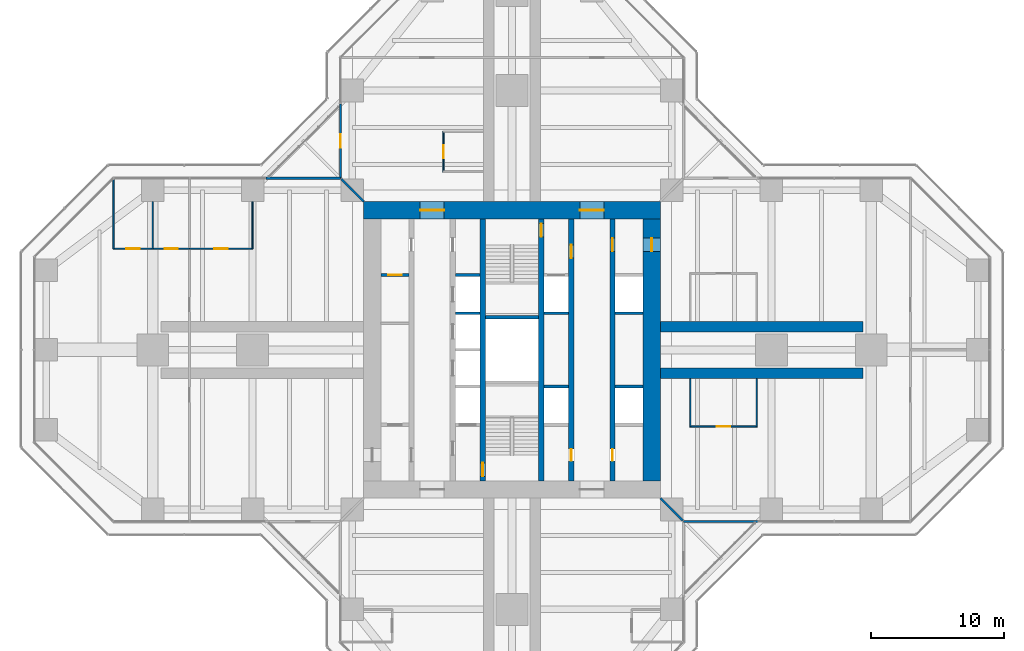
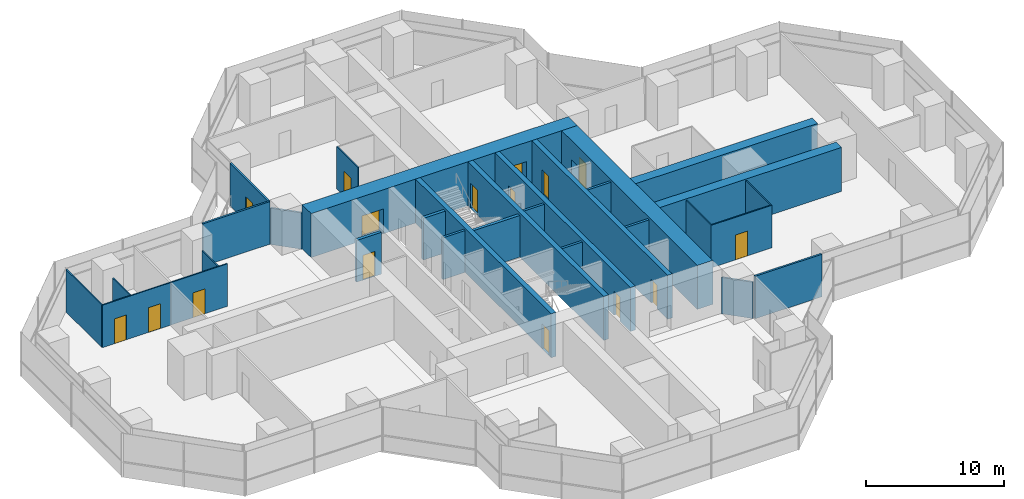
# One storey, part 16 of 19: 30 walls, 16 doors, 16 openings.
"""IFC4 building model written with IfcOpenShell, lengths in metres."""

import ifcopenshell
import ifcopenshell.guid

model = None  # the IFC model being written
_history = None  # IfcOwnerHistory: only IFC2X3 demands one
_inside = {}  # id of a spatial element -> (the spatial element, [elements in it])
_under = {}  # id of a project, library or spatial element -> (it, [spatial elements below it])
_declared = {}  # id of a project -> (the project, [libraries it declares])
_typed = {}  # id of a type object -> (the type object, [elements of that type])
_made_of = {}  # id of a material, layer set ... -> (it, [elements and type objects made of it])


def new_model(schema):
    """Start an empty IFC model of exactly this schema.

    Asked for "IFC4X3", IfcOpenShell would pick the latest addendum, in which some entities
    have other attributes; the version numbers below select the first issue.
    IFC2X3 requires an IfcOwnerHistory on every rooted entity: one is made here for all.
    """
    global model, _history
    if schema == "IFC4X3":
        model = ifcopenshell.file(schema_version=(4, 3, 0, 0))
    else:
        model = ifcopenshell.file(schema=schema)
    _inside.clear()
    _under.clear()
    _declared.clear()
    _typed.clear()
    _made_of.clear()
    _history = None
    if model.schema == "IFC2X3":
        org = make("IfcOrganization", Name="unknown")
        user = make(
            "IfcPersonAndOrganization",
            ThePerson=make("IfcPerson", FamilyName="unknown"),
            TheOrganization=org,
        )
        app = make(
            "IfcApplication",
            ApplicationDeveloper=org,
            Version="unknown",
            ApplicationFullName="unknown",
            ApplicationIdentifier="unknown",
        )
        _history = make(
            "IfcOwnerHistory",
            OwningUser=user,
            OwningApplication=app,
            ChangeAction="ADDED",
            CreationDate=0,
        )
    return model


def make(cls, **values):
    """One entity of the class cls with the attributes given. An attribute that is None is left unset."""
    return model.create_entity(
        cls, **{name: value for name, value in values.items() if value is not None}
    )


def rooted(cls, **values):
    """An entity with a GlobalId (a new one), such as an element, a storey or a relation."""
    return make(cls, GlobalId=ifcopenshell.guid.new(), OwnerHistory=_history, **values)


def si_unit(unit_type, name, prefix=None):
    """IfcSIUnit, for example si_unit("LENGTHUNIT", "METRE", prefix="MILLI")."""
    return make("IfcSIUnit", UnitType=unit_type, Prefix=prefix, Name=name)


def assignment(units):
    """IfcUnitAssignment: the units of a project."""
    return None if units is None else make("IfcUnitAssignment", Units=units)


def point(xyz):
    """IfcCartesianPoint."""
    return None if xyz is None else make("IfcCartesianPoint", Coordinates=xyz)


def direction(xyz):
    """IfcDirection."""
    return None if xyz is None else make("IfcDirection", DirectionRatios=xyz)


def frame(location, z_axis=None, x_axis=None):
    """IfcAxis2Placement3D, a coordinate frame: its origin and axes. An axis left out is left unset."""
    return make(
        "IfcAxis2Placement3D",
        Location=point(location),
        Axis=direction(z_axis),
        RefDirection=direction(x_axis),
    )


def frame_2d(location, x_axis=None):
    """IfcAxis2Placement2D, a coordinate frame in the plane: its origin and x axis."""
    return make(
        "IfcAxis2Placement2D", Location=point(location), RefDirection=direction(x_axis)
    )


def origin():
    """The frame at (0, 0, 0) with its axes left unset."""
    return frame((0.0, 0.0, 0.0))


def place(relative_to, where):
    """IfcLocalPlacement: puts the frame where relative to a parent placement (None: the world)."""
    return make(
        "IfcLocalPlacement", PlacementRelTo=relative_to, RelativePlacement=where
    )


def context(
    kind, dimensions, precision=None, world=None, true_north=None, identifier=None
):
    """IfcGeometricRepresentationContext, for example the 3D "Model" context."""
    return make(
        "IfcGeometricRepresentationContext",
        ContextIdentifier=identifier,
        ContextType=kind,
        CoordinateSpaceDimension=dimensions,
        Precision=precision,
        WorldCoordinateSystem=world,
        TrueNorth=true_north,
    )


def subcontext(parent, identifier, kind, view, scale=None):
    """IfcGeometricRepresentationSubContext, for example "Body" below "Model"."""
    return make(
        "IfcGeometricRepresentationSubContext",
        ContextIdentifier=identifier,
        ContextType=kind,
        ParentContext=parent,
        TargetScale=scale,
        TargetView=view,
    )


def project(units=None, contexts=None):
    """IfcProject with its units and contexts."""
    return rooted(
        "IfcProject",
        Name="project",
        RepresentationContexts=contexts,
        UnitsInContext=assignment(units),
    )


def spatial(cls, under=None, at=None, **own):
    """A site, building, storey or space (cls), placed at a placement, below another one or the project."""
    s = rooted(cls, ObjectPlacement=at, **own)
    if under is not None:
        _under.setdefault(under.id(), (under, []))[1].append(s)
    return s


def profile(cls, at=None, kind="AREA", **sizes):
    """A parametric profile (cls). Its sizes go by their IFC names, for example OverallWidth=200.0."""
    return make(cls, ProfileType=kind, Position=at, **sizes)


def rectangle(**sizes):
    """IfcRectangleProfileDef."""
    return profile("IfcRectangleProfileDef", **sizes)


def extrude(swept, where, along, depth):
    """IfcExtrudedAreaSolid: the profile swept, set in the frame where, extruded along a direction by depth."""
    return make(
        "IfcExtrudedAreaSolid",
        SweptArea=swept,
        Position=where,
        ExtrudedDirection=direction(along),
        Depth=depth,
    )


def shape(context_of_items, identifier, shape_type, items):
    """IfcShapeRepresentation: the items that make up one representation, for example the "Body"."""
    return make(
        "IfcShapeRepresentation",
        ContextOfItems=context_of_items,
        RepresentationIdentifier=identifier,
        RepresentationType=shape_type,
        Items=items,
    )


def material(Name=None, Category=None):
    """IfcMaterial."""
    return make("IfcMaterial", Name=Name, Category=Category)


def layer(
    of_material, thickness, ventilated=None, Name=None, Category=None, Priority=None
):
    """IfcMaterialLayer: one layer of a wall or slab, of a material (None: an air gap)."""
    return make(
        "IfcMaterialLayer",
        Material=of_material,
        LayerThickness=thickness,
        IsVentilated=ventilated,
        Name=Name,
        Category=Category,
        Priority=Priority,
    )


def layer_set(layers, Name=None):
    """IfcMaterialLayerSet."""
    return make("IfcMaterialLayerSet", MaterialLayers=layers, LayerSetName=Name)


def made_of(thing, what):
    """Note that an element or type object is made of a material, layer set ...; save() writes the relation."""
    if what is not None:
        _made_of.setdefault(what.id(), (what, []))[1].append(thing)
    return thing


def type_object(cls, material=None, **own):
    """A type object (cls), such as IfcWallType, which elements share."""
    return made_of(rooted(cls, **own), material)


def element(
    cls,
    number,
    at=None,
    inside=None,
    cuts=None,
    type_object=None,
    material=None,
    context=None,
    identifier="Body",
    shape_type=None,
    held_by="IfcProductDefinitionShape",
    body=None,
    shapes=None,
    **own,
):
    """One element of the class cls, such as IfcWall. Its Tag is "e" and its number.

    at: its placement. inside: the storey or other place that contains it. cuts: it is an
    opening in that element (IfcRelVoidsElement). A single representation is given by context,
    identifier, shape_type and body (its items); several are given by shapes. held_by: the class
    of the entity that holds the representations. save() writes the other relations.
    """
    e = rooted(cls, Tag="e%d" % number, ObjectPlacement=at, **own)
    if body is not None:
        shapes = [shape(context, identifier, shape_type, body)]
    if shapes is not None:
        e.Representation = make(held_by, Representations=shapes)
    if inside is not None:
        _inside.setdefault(inside.id(), (inside, []))[1].append(e)
    if cuts is not None:
        rooted(
            "IfcRelVoidsElement", RelatingBuildingElement=cuts, RelatedOpeningElement=e
        )
    if type_object is not None:
        _typed.setdefault(type_object.id(), (type_object, []))[1].append(e)
    return made_of(e, material)


def fill(opening, filler):
    """IfcRelFillsElement: the door or window that sits in an opening."""
    return rooted(
        "IfcRelFillsElement",
        RelatingOpeningElement=opening,
        RelatedBuildingElement=filler,
    )


def aggregate(whole, parts):
    """IfcRelAggregates: a whole, such as a stair, and the parts it consists of."""
    return rooted("IfcRelAggregates", RelatingObject=whole, RelatedObjects=parts)


def save(model, path):
    """Write the relations noted so far, then the file.

    IfcRelAggregates (storeys below a building ...), IfcRelContainedInSpatialStructure (elements
    in a storey), IfcRelDefinesByType, IfcRelAssociatesMaterial and IfcRelDeclares: one each for
    every whole, place, type object, material and project.
    """
    for whole, parts in _under.values():
        aggregate(whole, parts)
    for where, things in _inside.values():
        rooted(
            "IfcRelContainedInSpatialStructure",
            RelatedElements=things,
            RelatingStructure=where,
        )
    for kind, things in _typed.values():
        rooted("IfcRelDefinesByType", RelatedObjects=things, RelatingType=kind)
    for what, things in _made_of.values():
        rooted("IfcRelAssociatesMaterial", RelatedObjects=things, RelatingMaterial=what)
    for by, libraries in _declared.values():
        rooted("IfcRelDeclares", RelatingContext=by, RelatedDefinitions=libraries)
    model.write(path)


model = new_model("IFC4")

# Units and contexts
model_context = context("Model", 3, precision=1e-05, world=origin(), true_north=direction((0.0, 1.0)))
body_context = subcontext(model_context, "Body", "Model", "MODEL_VIEW")
ifc_project = project(units=[si_unit("LENGTHUNIT", "METRE"), si_unit("AREAUNIT", "SQUARE_METRE"), si_unit("VOLUMEUNIT", "CUBIC_METRE"), si_unit("PLANEANGLEUNIT", "RADIAN"), si_unit("MASSUNIT", "GRAM", prefix="KILO")], contexts=[model_context])

# Site, building, storey
site_placement = place(None, origin())
site = spatial("IfcSite", under=ifc_project, at=site_placement, CompositionType="ELEMENT")
building_placement = place(site_placement, origin())
building = spatial("IfcBuilding", under=site, at=building_placement, Name="Mizan Broadcast Tower", CompositionType="ELEMENT")
storey_placement = place(building_placement, frame((0.0, 0.0, 167.10009765625)))
storey = spatial("IfcBuildingStorey", under=building, at=storey_placement, Name="L38", CompositionType="ELEMENT", Elevation=167.10009765625)

# Wall, openings, doors
ifc_material_1 = material(Name="Concrete C70/85", Category="concrete")
ifc_layer_1 = layer(ifc_material_1, 0.39990234375)
ifc_layer_set_1 = layer_set([ifc_layer_1], Name="Concrete C70/85")
wall_type_1 = type_object("IfcWallType", Name="CORE INTERNAL WALL 400", PredefinedType="SHEAR", material=ifc_layer_set_1)
wall_1_placement = place(storey_placement, frame((7.550048828125, 9.85009765625, 0.0), z_axis=(0.0, 0.0, 1.0), x_axis=(0.0, -1.0, 0.0)))
wall_1 = element("IfcWall", 1, at=wall_1_placement, inside=storey, type_object=wall_type_1, Name="Core wall CORE/XW1E", PredefinedType="SHEAR", context=body_context, shape_type="SweptSolid", body=[
    extrude(rectangle(XDim=19.7001953125, YDim=0.39990234375, at=frame_2d((9.85009765625, 0.0))), origin(), (0.0, 0.0, 1.0), 3.89990234375),
])
opening_1_placement = place(wall_1_placement, frame((1.449951171875, 0.0, 0.0)))
opening_1 = element("IfcOpeningElement", 2, at=opening_1_placement, cuts=wall_1, Name="Opening D10F", PredefinedType="OPENING", context=body_context, shape_type="SweptSolid", body=[
    extrude(rectangle(XDim=1.0, YDim=2.199951171875, at=frame_2d((0.5, 1.10009765625))), frame((0.0, 0.2099609375, 0.0), z_axis=(0.0, -1.0, 0.0), x_axis=(1.0, 0.0, 0.0)), (0.0, 0.0, 1.0), 0.419921875),
])
opening_2_placement = place(wall_1_placement, frame((17.300048828125, 0.0, 0.0)))
opening_2 = element("IfcOpeningElement", 3, at=opening_2_placement, cuts=wall_1, Name="Opening D09", PredefinedType="OPENING", context=body_context, shape_type="SweptSolid", body=[
    extrude(rectangle(XDim=0.89990234375, YDim=2.10009765625, at=frame_2d((0.449951171875, 1.050048828125))), frame((0.0, 0.2099609375, 0.0), z_axis=(0.0, -1.0, 0.0), x_axis=(1.0, 0.0, 0.0)), (0.0, 0.0, 1.0), 0.419921875),
])
ifc_material_2 = material(Name="Steel door leaf in steel frame", Category="steel")
door_type_1 = type_object("IfcDoorType", Name="FIRE DOOR 1000 FD90", OperationType="SINGLE_SWING_LEFT", PredefinedType="DOOR", material=ifc_material_2)
door_1_placement = place(opening_1_placement, origin())
door_1 = element("IfcDoor", 4, at=door_1_placement, inside=storey, type_object=door_type_1, Name="East core passage door", OperationType="SINGLE_SWING_LEFT", OverallHeight=2.199951171875, OverallWidth=1.0, PredefinedType="DOOR", context=body_context, shape_type="SweptSolid", body=[
    extrude(rectangle(XDim=1.0, YDim=2.199951171875, at=frame_2d((0.5, 1.10009765625))), frame((0.0, 0.02490234375, 0.0), z_axis=(0.0, -1.0, 0.0), x_axis=(1.0, 0.0, 0.0)), (0.0, 0.0, 1.0), 0.050048828125),
])
fill(opening_1, door_1)
ifc_material_3 = material(Name="Timber door leaf in aluminium frame", Category="wood")
door_type_2 = type_object("IfcDoorType", Name="TOILET DOOR 900", OperationType="SINGLE_SWING_LEFT", PredefinedType="DOOR", material=ifc_material_3)
door_2_placement = place(opening_2_placement, origin())
door_2 = element("IfcDoor", 5, at=door_2_placement, inside=storey, type_object=door_type_2, Name="Female WC door", OperationType="SINGLE_SWING_RIGHT", OverallHeight=2.10009765625, OverallWidth=0.89990234375, PredefinedType="DOOR", context=body_context, shape_type="SweptSolid", body=[
    extrude(rectangle(XDim=0.89990234375, YDim=2.10009765625, at=frame_2d((0.449951171875, 1.050048828125))), frame((0.0, 0.02490234375, 0.0), z_axis=(0.0, -1.0, 0.0), x_axis=(1.0, 0.0, 0.0)), (0.0, 0.0, 1.0), 0.050048828125),
])
fill(opening_2, door_2)

wall_2_placement = place(storey_placement, frame((4.449951171875, 9.85009765625, 0.0), z_axis=(0.0, 0.0, 1.0), x_axis=(0.0, -1.0, 0.0)))
wall_2 = element("IfcWall", 6, at=wall_2_placement, inside=storey, type_object=wall_type_1, Name="Core wall CORE/XWHE", PredefinedType="SHEAR", context=body_context, shape_type="SweptSolid", body=[
    extrude(rectangle(XDim=19.7001953125, YDim=0.39990234375, at=frame_2d((9.85009765625, 0.0))), origin(), (0.0, 0.0, 1.0), 3.89990234375),
])
opening_3_placement = place(wall_2_placement, frame((1.949951171875, 0.0, 0.0)))
opening_3 = element("IfcOpeningElement", 7, at=opening_3_placement, cuts=wall_2, Name="Opening D10F", PredefinedType="OPENING", context=body_context, shape_type="SweptSolid", body=[
    extrude(rectangle(XDim=1.0, YDim=2.199951171875, at=frame_2d((0.5, 1.10009765625))), frame((0.0, 0.2099609375, 0.0), z_axis=(0.0, -1.0, 0.0), x_axis=(1.0, 0.0, 0.0)), (0.0, 0.0, 1.0), 0.419921875),
])
opening_4_placement = place(wall_2_placement, frame((17.300048828125, 0.0, 0.0)))
opening_4 = element("IfcOpeningElement", 8, at=opening_4_placement, cuts=wall_2, Name="Opening D09", PredefinedType="OPENING", context=body_context, shape_type="SweptSolid", body=[
    extrude(rectangle(XDim=0.89990234375, YDim=2.10009765625, at=frame_2d((0.449951171875, 1.050048828125))), frame((0.0, 0.2099609375, 0.0), z_axis=(0.0, -1.0, 0.0), x_axis=(1.0, 0.0, 0.0)), (0.0, 0.0, 1.0), 0.419921875),
])
door_3_placement = place(opening_3_placement, origin())
door_3 = element("IfcDoor", 9, at=door_3_placement, inside=storey, type_object=door_type_1, Name="Firefighting lobby B door", OperationType="SINGLE_SWING_LEFT", OverallHeight=2.199951171875, OverallWidth=1.0, PredefinedType="DOOR", context=body_context, shape_type="SweptSolid", body=[
    extrude(rectangle(XDim=1.0, YDim=2.199951171875, at=frame_2d((0.5, 1.10009765625))), frame((0.0, 0.02490234375, 0.0), z_axis=(0.0, -1.0, 0.0), x_axis=(1.0, 0.0, 0.0)), (0.0, 0.0, 1.0), 0.050048828125),
])
fill(opening_3, door_3)
door_4_placement = place(opening_4_placement, origin())
door_4 = element("IfcDoor", 10, at=door_4_placement, inside=storey, type_object=door_type_2, Name="Cleaner's store door", OperationType="SINGLE_SWING_RIGHT", OverallHeight=2.10009765625, OverallWidth=0.89990234375, PredefinedType="DOOR", context=body_context, shape_type="SweptSolid", body=[
    extrude(rectangle(XDim=0.89990234375, YDim=2.10009765625, at=frame_2d((0.449951171875, 1.050048828125))), frame((0.0, 0.02490234375, 0.0), z_axis=(0.0, -1.0, 0.0), x_axis=(1.0, 0.0, 0.0)), (0.0, 0.0, 1.0), 0.050048828125),
])
fill(opening_4, door_4)

# Wall, opening, door
wall_3_placement = place(storey_placement, frame((-2.199951171875, -9.85009765625, 0.0), z_axis=(0.0, 0.0, 1.0), x_axis=(0.0, 1.0, 0.0)))
wall_3 = element("IfcWall", 11, at=wall_3_placement, inside=storey, type_object=wall_type_1, Name="Core wall CORE/XW2", PredefinedType="SHEAR", context=body_context, shape_type="SweptSolid", body=[
    extrude(rectangle(XDim=19.7001953125, YDim=0.39990234375, at=frame_2d((9.85009765625, 0.0))), origin(), (0.0, 0.0, 1.0), 3.89990234375),
])
opening_5_placement = place(wall_3_placement, frame((0.35009765625, 0.0, 0.0)))
opening_5 = element("IfcOpeningElement", 12, at=opening_5_placement, cuts=wall_3, Name="Opening D10S", PredefinedType="OPENING", context=body_context, shape_type="SweptSolid", body=[
    extrude(rectangle(XDim=1.0, YDim=2.199951171875, at=frame_2d((0.5, 1.10009765625))), frame((0.0, 0.2099609375, 0.0), z_axis=(0.0, -1.0, 0.0), x_axis=(1.0, 0.0, 0.0)), (0.0, 0.0, 1.0), 0.419921875),
])
ifc_material_4 = material(Name="Steel door leaf in steel frame", Category="steel")
door_type_3 = type_object("IfcDoorType", Name="STAIR DOOR 1000 FD90S", OperationType="SINGLE_SWING_RIGHT", PredefinedType="DOOR", material=ifc_material_4)
door_5_placement = place(opening_5_placement, origin())
door_5 = element("IfcDoor", 13, at=door_5_placement, inside=storey, type_object=door_type_3, Name="Stair A door", OperationType="SINGLE_SWING_RIGHT", OverallHeight=2.199951171875, OverallWidth=1.0, PredefinedType="DOOR", context=body_context, shape_type="SweptSolid", body=[
    extrude(rectangle(XDim=1.0, YDim=2.199951171875, at=frame_2d((0.5, 1.10009765625))), frame((0.0, 0.02490234375, 0.0), z_axis=(0.0, -1.0, 0.0), x_axis=(1.0, 0.0, 0.0)), (0.0, 0.0, 1.0), 0.050048828125),
])
fill(opening_5, door_5)

wall_4_placement = place(storey_placement, frame((2.199951171875, 9.85009765625, 0.0), z_axis=(0.0, 0.0, 1.0), x_axis=(0.0, -1.0, 0.0)))
wall_4 = element("IfcWall", 14, at=wall_4_placement, inside=storey, type_object=wall_type_1, Name="Core wall CORE/XW2E", PredefinedType="SHEAR", context=body_context, shape_type="SweptSolid", body=[
    extrude(rectangle(XDim=19.7001953125, YDim=0.39990234375, at=frame_2d((9.85009765625, 0.0))), origin(), (0.0, 0.0, 1.0), 3.89990234375),
])
opening_6_placement = place(wall_4_placement, frame((0.35009765625, 0.0, 0.0)))
opening_6 = element("IfcOpeningElement", 15, at=opening_6_placement, cuts=wall_4, Name="Opening D10S", PredefinedType="OPENING", context=body_context, shape_type="SweptSolid", body=[
    extrude(rectangle(XDim=1.0, YDim=2.199951171875, at=frame_2d((0.5, 1.10009765625))), frame((0.0, 0.2099609375, 0.0), z_axis=(0.0, -1.0, 0.0), x_axis=(1.0, 0.0, 0.0)), (0.0, 0.0, 1.0), 0.419921875),
])
door_6_placement = place(opening_6_placement, origin())
door_6 = element("IfcDoor", 16, at=door_6_placement, inside=storey, type_object=door_type_3, Name="Stair B door", OperationType="SINGLE_SWING_RIGHT", OverallHeight=2.199951171875, OverallWidth=1.0, PredefinedType="DOOR", context=body_context, shape_type="SweptSolid", body=[
    extrude(rectangle(XDim=1.0, YDim=2.199951171875, at=frame_2d((0.5, 1.10009765625))), frame((0.0, 0.02490234375, 0.0), z_axis=(0.0, -1.0, 0.0), x_axis=(1.0, 0.0, 0.0)), (0.0, 0.0, 1.0), 0.050048828125),
])
fill(opening_6, door_6)

# Wall, openings, doors
ifc_material_5 = material(Name="Concrete C70/85", Category="concrete")
ifc_layer_2 = layer(ifc_material_5, 1.300048828125)
ifc_layer_set_2 = layer_set([ifc_layer_2], Name="Concrete C70/85")
wall_type_2 = type_object("IfcWallType", Name="CORE WALL 1300", PredefinedType="SHEAR", material=ifc_layer_set_2)
wall_5_placement = place(storey_placement, frame((-11.14990234375, 10.5, 0.0), z_axis=(0.0, 0.0, 1.0), x_axis=(1.0, 0.0, 0.0)))
wall_5 = element("IfcWall", 17, at=wall_5_placement, inside=storey, type_object=wall_type_2, Name="Core wall N L38", PredefinedType="SHEAR", context=body_context, shape_type="SweptSolid", body=[
    extrude(rectangle(XDim=22.2998046875, YDim=1.300048828125, at=frame_2d((11.14990234375, 0.0))), origin(), (0.0, 0.0, 1.0), 3.89990234375),
])
opening_7_placement = place(wall_5_placement, frame((4.25, 0.0, 0.0)))
opening_7 = element("IfcOpeningElement", 18, at=opening_7_placement, cuts=wall_5, Name="Opening D18F", PredefinedType="OPENING", context=body_context, shape_type="SweptSolid", body=[
    extrude(rectangle(XDim=1.800048828125, YDim=2.199951171875, at=frame_2d((0.89990234375, 1.10009765625))), frame((0.0, 0.659912109375, 0.0), z_axis=(0.0, -1.0, 0.0), x_axis=(1.0, 0.0, 0.0)), (0.0, 0.0, 1.0), 1.320068359375),
])
opening_8_placement = place(wall_5_placement, frame((16.25, 0.0, 0.0)))
opening_8 = element("IfcOpeningElement", 19, at=opening_8_placement, cuts=wall_5, Name="Opening D18F", PredefinedType="OPENING", context=body_context, shape_type="SweptSolid", body=[
    extrude(rectangle(XDim=1.800048828125, YDim=2.199951171875, at=frame_2d((0.89990234375, 1.10009765625))), frame((0.0, 0.659912109375, 0.0), z_axis=(0.0, -1.0, 0.0), x_axis=(1.0, 0.0, 0.0)), (0.0, 0.0, 1.0), 1.320068359375),
])
ifc_material_6 = material(Name="Steel door leaf in steel frame", Category="steel")
door_type_4 = type_object("IfcDoorType", Name="LOBBY DOUBLE DOOR 1800 FD90", OperationType="DOUBLE_DOOR_DOUBLE_SWING", PredefinedType="DOOR", material=ifc_material_6)
door_7_placement = place(opening_7_placement, origin())
door_7 = element("IfcDoor", 20, at=door_7_placement, inside=storey, type_object=door_type_4, Name="West lift lobby north door", OperationType="DOUBLE_DOOR_DOUBLE_SWING", OverallHeight=2.199951171875, OverallWidth=1.800048828125, PredefinedType="DOOR", context=body_context, shape_type="SweptSolid", body=[
    extrude(rectangle(XDim=1.800048828125, YDim=2.199951171875, at=frame_2d((0.89990234375, 1.10009765625))), frame((0.0, 0.02490234375, 0.0), z_axis=(0.0, -1.0, 0.0), x_axis=(1.0, 0.0, 0.0)), (0.0, 0.0, 1.0), 0.050048828125),
])
fill(opening_7, door_7)
door_8_placement = place(opening_8_placement, origin())
door_8 = element("IfcDoor", 21, at=door_8_placement, inside=storey, type_object=door_type_4, Name="East lift lobby north door", OperationType="DOUBLE_DOOR_DOUBLE_SWING", OverallHeight=2.199951171875, OverallWidth=1.800048828125, PredefinedType="DOOR", context=body_context, shape_type="SweptSolid", body=[
    extrude(rectangle(XDim=1.800048828125, YDim=2.199951171875, at=frame_2d((0.89990234375, 1.10009765625))), frame((0.0, 0.02490234375, 0.0), z_axis=(0.0, -1.0, 0.0), x_axis=(1.0, 0.0, 0.0)), (0.0, 0.0, 1.0), 0.050048828125),
])
fill(opening_8, door_8)

# Wall, opening, door
wall_6_placement = place(storey_placement, frame((10.5, -9.85009765625, 0.0), z_axis=(0.0, 0.0, 1.0), x_axis=(0.0, 1.0, 0.0)))
wall_6 = element("IfcWall", 22, at=wall_6_placement, inside=storey, type_object=wall_type_2, Name="Core wall E L38", PredefinedType="SHEAR", context=body_context, shape_type="SweptSolid", body=[
    extrude(rectangle(XDim=19.7001953125, YDim=1.300048828125, at=frame_2d((9.85009765625, 0.0))), origin(), (0.0, 0.0, 1.0), 3.89990234375),
])
opening_9_placement = place(wall_6_placement, frame((17.25, 0.0, 0.0)))
opening_9 = element("IfcOpeningElement", 23, at=opening_9_placement, cuts=wall_6, Name="Opening D10F", PredefinedType="OPENING", context=body_context, shape_type="SweptSolid", body=[
    extrude(rectangle(XDim=1.0, YDim=2.199951171875, at=frame_2d((0.5, 1.10009765625))), frame((0.0, 0.659912109375, 0.0), z_axis=(0.0, -1.0, 0.0), x_axis=(1.0, 0.0, 0.0)), (0.0, 0.0, 1.0), 1.320068359375),
])
door_9_placement = place(opening_9_placement, origin())
door_9 = element("IfcDoor", 24, at=door_9_placement, inside=storey, type_object=door_type_1, Name="East core passage arm door", OperationType="SINGLE_SWING_RIGHT", OverallHeight=2.199951171875, OverallWidth=1.0, PredefinedType="DOOR", context=body_context, shape_type="SweptSolid", body=[
    extrude(rectangle(XDim=1.0, YDim=2.199951171875, at=frame_2d((0.5, 1.10009765625))), frame((0.0, 0.02490234375, 0.0), z_axis=(0.0, -1.0, 0.0), x_axis=(1.0, 0.0, 0.0)), (0.0, 0.0, 1.0), 0.050048828125),
])
fill(opening_9, door_9)

# Wall
ifc_material_7 = material(Name="Aluminium framed glazed screen", Category="aluminium")
ifc_layer_3 = layer(ifc_material_7, 0.159912109375)
ifc_layer_set_3 = layer_set([ifc_layer_3], Name="Aluminium framed glazed screen")
wall_type_3 = type_object("IfcWallType", Name="GLAZED SCREEN WALL 160", PredefinedType="SOLIDWALL", material=ifc_layer_set_3)
wall_7_placement = place(storey_placement, frame((12.89990234375, -12.89990234375, 0.0), z_axis=(0.0, 0.0, 1.0), x_axis=(1.0, 0.0, 0.0)))
element("IfcWall", 25, at=wall_7_placement, inside=storey, type_object=wall_type_3, Name="Winter garden screen L38 E", PredefinedType="SOLIDWALL", context=body_context, shape_type="SweptSolid", body=[
    extrude(rectangle(XDim=5.60009765625, YDim=0.159912109375, at=frame_2d((2.800048828125, 0.0))), origin(), (0.0, 0.0, 1.0), 3.77001953125),
])

# Wall, opening, door
wall_8_placement = place(storey_placement, frame((-12.89990234375, 18.5, 0.0), z_axis=(0.0, 0.0, 1.0), x_axis=(0.0, -1.0, 0.0)))
wall_8 = element("IfcWall", 26, at=wall_8_placement, inside=storey, type_object=wall_type_3, Name="Winter garden screen L38 N", PredefinedType="SOLIDWALL", context=body_context, shape_type="SweptSolid", body=[
    extrude(rectangle(XDim=5.60009765625, YDim=0.159912109375, at=frame_2d((2.800048828125, 0.0))), origin(), (0.0, 0.0, 1.0), 3.77001953125),
])
opening_10_placement = place(wall_8_placement, frame((2.300048828125, 0.0, 0.0)))
opening_10 = element("IfcOpeningElement", 27, at=opening_10_placement, cuts=wall_8, Name="Opening WGD", PredefinedType="OPENING", context=body_context, shape_type="SweptSolid", body=[
    extrude(rectangle(XDim=1.0, YDim=2.199951171875, at=frame_2d((0.5, 1.10009765625))), frame((0.0, 0.08984375, 0.0), z_axis=(0.0, -1.0, 0.0), x_axis=(1.0, 0.0, 0.0)), (0.0, 0.0, 1.0), 0.179931640625),
])
ifc_material_8 = material(Name="Aluminium framed glazed door", Category="aluminium")
door_type_5 = type_object("IfcDoorType", Name="WINTER GARDEN DOOR 1000 GLAZED", OperationType="SINGLE_SWING_LEFT", PredefinedType="DOOR", material=ifc_material_8)
door_10_placement = place(opening_10_placement, origin())
door_10 = element("IfcDoor", 28, at=door_10_placement, inside=storey, type_object=door_type_5, Name="Winter garden door L38 N", OperationType="SINGLE_SWING_RIGHT", OverallHeight=2.199951171875, OverallWidth=1.0, PredefinedType="DOOR", context=body_context, shape_type="SweptSolid", body=[
    extrude(rectangle(XDim=1.0, YDim=2.199951171875, at=frame_2d((0.5, 1.10009765625))), frame((0.0, 0.02490234375, 0.0), z_axis=(0.0, -1.0, 0.0), x_axis=(1.0, 0.0, 0.0)), (0.0, 0.0, 1.0), 0.050048828125),
])
fill(opening_10, door_10)

# Walls
wall_9_placement = place(storey_placement, frame((-12.89990234375, 12.89990234375, 0.0), z_axis=(0.0, 0.0, 1.0), x_axis=(-1.0, 0.0, 0.0)))
element("IfcWall", 29, at=wall_9_placement, inside=storey, type_object=wall_type_3, Name="Winter garden screen L38 W", PredefinedType="SOLIDWALL", context=body_context, shape_type="SweptSolid", body=[
    extrude(rectangle(XDim=5.60009765625, YDim=0.159912109375, at=frame_2d((2.800048828125, 0.0))), origin(), (0.0, 0.0, 1.0), 3.77001953125),
])
ifc_material_9 = material(Name="Concrete blockwork", Category="masonry")
ifc_layer_4 = layer(ifc_material_9, 0.199951171875)
ifc_layer_set_4 = layer_set([ifc_layer_4], Name="Concrete blockwork")
wall_type_4 = type_object("IfcWallType", Name="LIFT SHAFT WALL 200", PredefinedType="SOLIDWALL", material=ifc_layer_set_4)
wall_10_placement = place(storey_placement, frame((2.39990234375, -2.75, 0.0), z_axis=(0.0, 0.0, 1.0), x_axis=(1.0, 0.0, 0.0)))
element("IfcWall", 30, at=wall_10_placement, inside=storey, type_object=wall_type_4, Name="Lift shaft wall CORE/SE2-1", PredefinedType="SOLIDWALL", context=body_context, shape_type="SweptSolid", body=[
    extrude(rectangle(XDim=1.85009765625, YDim=0.199951171875, at=frame_2d((0.925048828125, 0.0))), origin(), (0.0, 0.0, 1.0), 3.699951171875),
])
wall_11_placement = place(storey_placement, frame((7.75, -2.75, 0.0), z_axis=(0.0, 0.0, 1.0), x_axis=(1.0, 0.0, 0.0)))
element("IfcWall", 31, at=wall_11_placement, inside=storey, type_object=wall_type_4, Name="Lift shaft wall CORE/SE1-1", PredefinedType="SOLIDWALL", context=body_context, shape_type="SweptSolid", body=[
    extrude(rectangle(XDim=2.10009765625, YDim=0.199951171875, at=frame_2d((1.050048828125, 0.0))), origin(), (0.0, 0.0, 1.0), 3.699951171875),
])
for number, where, z_axis, x_axis, name in (
    (32, (-4.25, 2.75, 0.0), (0.0, 0.0, 1.0), (1.0, 0.0, 0.0), "Lift shaft wall CORE/SW2-3"),
    (33, (2.39990234375, 2.75, 0.0), (0.0, 0.0, 1.0), (1.0, 0.0, 0.0), "Lift shaft wall CORE/SE2-3"),
):
    element("IfcWall", number, at=place(storey_placement, frame(where, z_axis=z_axis, x_axis=x_axis)), inside=storey, type_object=wall_type_4, Name=name, PredefinedType="SOLIDWALL", context=body_context, shape_type="SweptSolid", body=[
        extrude(rectangle(XDim=1.85009765625, YDim=0.199951171875, at=frame_2d((0.925048828125, 0.0))), origin(), (0.0, 0.0, 1.0), 3.699951171875),
    ])
wall_12_placement = place(storey_placement, frame((7.75, 2.75, 0.0), z_axis=(0.0, 0.0, 1.0), x_axis=(1.0, 0.0, 0.0)))
element("IfcWall", 34, at=wall_12_placement, inside=storey, type_object=wall_type_4, Name="Lift shaft wall CORE/SE1-3", PredefinedType="SOLIDWALL", context=body_context, shape_type="SweptSolid", body=[
    extrude(rectangle(XDim=2.10009765625, YDim=0.199951171875, at=frame_2d((1.050048828125, 0.0))), origin(), (0.0, 0.0, 1.0), 3.699951171875),
])

# Wall, opening, door
ifc_material_10 = material(Name="Concrete blockwork", Category="masonry")
ifc_layer_5 = layer(ifc_material_10, 0.25)
ifc_layer_set_5 = layer_set([ifc_layer_5], Name="Concrete blockwork")
wall_type_5 = type_object("IfcWallType", Name="LOBBY ENCLOSURE WALL 250", PredefinedType="SOLIDWALL", material=ifc_layer_set_5)
wall_13_placement = place(storey_placement, frame((-9.85009765625, 5.625, 0.0), z_axis=(0.0, 0.0, 1.0), x_axis=(1.0, 0.0, 0.0)))
wall_13 = element("IfcWall", 35, at=wall_13_placement, inside=storey, type_object=wall_type_5, Name="Lobby enclosure wall CORE/BW1N", PredefinedType="SOLIDWALL", context=body_context, shape_type="SweptSolid", body=[
    extrude(rectangle(XDim=2.10009765625, YDim=0.25, at=frame_2d((1.050048828125, 0.0))), origin(), (0.0, 0.0, 1.0), 3.699951171875),
])
opening_11_placement = place(wall_13_placement, frame((0.550048828125, 0.0, 0.0)))
opening_11 = element("IfcOpeningElement", 36, at=opening_11_placement, cuts=wall_13, Name="Opening D10F", PredefinedType="OPENING", context=body_context, shape_type="SweptSolid", body=[
    extrude(rectangle(XDim=1.0, YDim=2.199951171875, at=frame_2d((0.5, 1.10009765625))), frame((0.0, 0.135009765625, 0.0), z_axis=(0.0, -1.0, 0.0), x_axis=(1.0, 0.0, 0.0)), (0.0, 0.0, 1.0), 0.27001953125),
])
door_11_placement = place(opening_11_placement, origin())
door_11 = element("IfcDoor", 37, at=door_11_placement, inside=storey, type_object=door_type_1, Name="Staff locker room door", OperationType="SINGLE_SWING_RIGHT", OverallHeight=2.199951171875, OverallWidth=1.0, PredefinedType="DOOR", context=body_context, shape_type="SweptSolid", body=[
    extrude(rectangle(XDim=1.0, YDim=2.199951171875, at=frame_2d((0.5, 1.10009765625))), frame((0.0, 0.02490234375, 0.0), z_axis=(0.0, -1.0, 0.0), x_axis=(1.0, 0.0, 0.0)), (0.0, 0.0, 1.0), 0.050048828125),
])
fill(opening_11, door_11)

# Walls
wall_14_placement = place(storey_placement, frame((-4.25, 5.625, 0.0), z_axis=(0.0, 0.0, 1.0), x_axis=(1.0, 0.0, 0.0)))
element("IfcWall", 38, at=wall_14_placement, inside=storey, type_object=wall_type_5, Name="Lobby enclosure wall CORE/BW2N", PredefinedType="SOLIDWALL", context=body_context, shape_type="SweptSolid", body=[
    extrude(rectangle(XDim=1.85009765625, YDim=0.25, at=frame_2d((0.925048828125, 0.0))), origin(), (0.0, 0.0, 1.0), 3.699951171875),
])
wall_15_placement = place(storey_placement, frame((-2.0, 2.449951171875, 0.0), z_axis=(0.0, 0.0, 1.0), x_axis=(1.0, 0.0, 0.0)))
element("IfcWall", 39, at=wall_15_placement, inside=storey, type_object=wall_type_5, Name="Lobby enclosure wall CORE/STB", PredefinedType="SOLIDWALL", context=body_context, shape_type="SweptSolid", body=[
    extrude(rectangle(XDim=4.0, YDim=0.25, at=frame_2d((2.0, 0.0))), origin(), (0.0, 0.0, 1.0), 3.699951171875),
])
ifc_material_11 = material(Name="Gypsum board on steel studs", Category="steel")
ifc_layer_6 = layer(ifc_material_11, 0.14990234375)
ifc_layer_set_6 = layer_set([ifc_layer_6], Name="Gypsum board on steel studs")
wall_type_6 = type_object("IfcWallType", Name="PARTITION 150", PredefinedType="PARTITIONING", material=ifc_layer_set_6)
for number, where, z_axis, x_axis, name in (
    (40, (-11.14990234375, 11.14990234375, 0.0), (0.0, 0.0, 1.0), (-0.707106781187, 0.707106781187, 0.0), "Partition PT/DGWN"),
    (41, (11.14990234375, -11.14990234375, 0.0), (0.0, 0.0, 1.0), (0.707106781187, -0.707106781187, 0.0), "Partition PT/DGES"),
):
    element("IfcWall", number, at=place(storey_placement, frame(where, z_axis=z_axis, x_axis=x_axis)), inside=storey, type_object=wall_type_6, Name=name, PredefinedType="PARTITIONING", context=body_context, shape_type="SweptSolid", body=[
        extrude(rectangle(XDim=2.362060546875, YDim=0.14990234375, at=frame_2d((1.18115234375, 0.0))), origin(), (0.0, 0.0, 1.0), 3.219970703125),
    ])
ifc_material_12 = material(Name="Glazed aluminium partition on aluminium track", Category="aluminium")
ifc_layer_7 = layer(ifc_material_12, 0.10009765625)
ifc_layer_set_7 = layer_set([ifc_layer_7], Name="Glazed aluminium partition on aluminium track")
wall_type_7 = type_object("IfcWallType", Name="PARTITION GLAZED OFFICE FRONT 100", PredefinedType="PARTITIONING", material=ifc_layer_set_7)
for number, where, z_axis, x_axis, name in (
    (42, (13.39990234375, -2.14990234375, 0.0), (0.0, 0.0, 1.0), (0.0, -1.0, 0.0), "Glazed office front PT/EKN0a"),
    (43, (18.39990234375, -2.14990234375, 0.0), (0.0, 0.0, 1.0), (0.0, -1.0, 0.0), "Glazed office front PT/EKN0b"),
):
    element("IfcWall", number, at=place(storey_placement, frame(where, z_axis=z_axis, x_axis=x_axis)), inside=storey, type_object=wall_type_7, Name=name, PredefinedType="PARTITIONING", context=body_context, shape_type="SweptSolid", body=[
        extrude(rectangle(XDim=3.60009765625, YDim=0.10009765625, at=frame_2d((1.800048828125, 0.0))), origin(), (0.0, 0.0, 1.0), 3.77001953125),
    ])

# Wall, opening, door
wall_16_placement = place(storey_placement, frame((13.35009765625, -5.75, 0.0), z_axis=(0.0, 0.0, 1.0), x_axis=(1.0, 0.0, 0.0)))
wall_16 = element("IfcWall", 44, at=wall_16_placement, inside=storey, type_object=wall_type_7, Name="Glazed office front PT/EKN0f", PredefinedType="PARTITIONING", context=body_context, shape_type="SweptSolid", body=[
    extrude(rectangle(XDim=5.099853515625, YDim=0.10009765625, at=frame_2d((2.5498046875, 0.0))), origin(), (0.0, 0.0, 1.0), 3.77001953125),
])
opening_12_placement = place(wall_16_placement, frame((2.050048828125, 0.0, 0.0)))
opening_12 = element("IfcOpeningElement", 45, at=opening_12_placement, cuts=wall_16, Name="Opening D10O", PredefinedType="OPENING", context=body_context, shape_type="SweptSolid", body=[
    extrude(rectangle(XDim=1.0, YDim=2.199951171875, at=frame_2d((0.5, 1.10009765625))), frame((0.0, 0.06005859375, 0.0), z_axis=(0.0, -1.0, 0.0), x_axis=(1.0, 0.0, 0.0)), (0.0, 0.0, 1.0), 0.1201171875),
])
ifc_material_13 = material(Name="Timber door leaf in aluminium frame", Category="wood")
door_type_6 = type_object("IfcDoorType", Name="OFFICE DOOR 1000 GLAZED", OperationType="SINGLE_SWING_LEFT", PredefinedType="DOOR", material=ifc_material_13)
door_12_placement = place(opening_12_placement, origin())
door_12 = element("IfcDoor", 46, at=door_12_placement, inside=storey, type_object=door_type_6, Name="Archive room door", OperationType="SINGLE_SWING_LEFT", OverallHeight=2.199951171875, OverallWidth=1.0, PredefinedType="DOOR", context=body_context, shape_type="SweptSolid", body=[
    extrude(rectangle(XDim=1.0, YDim=2.199951171875, at=frame_2d((0.5, 1.10009765625))), frame((0.0, 0.02490234375, 0.0), z_axis=(0.0, -1.0, 0.0), x_axis=(1.0, 0.0, 0.0)), (0.0, 0.0, 1.0), 0.050048828125),
])
fill(opening_12, door_12)

wall_17_placement = place(storey_placement, frame((-5.14990234375, 13.35009765625, 0.0), z_axis=(0.0, 0.0, 1.0), x_axis=(0.0, 1.0, 0.0)))
wall_17 = element("IfcWall", 47, at=wall_17_placement, inside=storey, type_object=wall_type_7, Name="Glazed office front PT/NKP0f", PredefinedType="PARTITIONING", context=body_context, shape_type="SweptSolid", body=[
    extrude(rectangle(XDim=3.099853515625, YDim=0.10009765625, at=frame_2d((1.5498046875, 0.0))), origin(), (0.0, 0.0, 1.0), 3.77001953125),
])
opening_13_placement = place(wall_17_placement, frame((1.050048828125, 0.0, 0.0)))
opening_13 = element("IfcOpeningElement", 48, at=opening_13_placement, cuts=wall_17, Name="Opening D10O", PredefinedType="OPENING", context=body_context, shape_type="SweptSolid", body=[
    extrude(rectangle(XDim=1.0, YDim=2.199951171875, at=frame_2d((0.5, 1.10009765625))), frame((0.0, 0.06005859375, 0.0), z_axis=(0.0, -1.0, 0.0), x_axis=(1.0, 0.0, 0.0)), (0.0, 0.0, 1.0), 0.1201171875),
])
door_13_placement = place(opening_13_placement, origin())
door_13 = element("IfcDoor", 49, at=door_13_placement, inside=storey, type_object=door_type_6, Name="Pantry door", OperationType="SINGLE_SWING_LEFT", OverallHeight=2.199951171875, OverallWidth=1.0, PredefinedType="DOOR", context=body_context, shape_type="SweptSolid", body=[
    extrude(rectangle(XDim=1.0, YDim=2.199951171875, at=frame_2d((0.5, 1.10009765625))), frame((0.0, 0.02490234375, 0.0), z_axis=(0.0, -1.0, 0.0), x_axis=(1.0, 0.0, 0.0)), (0.0, 0.0, 1.0), 0.050048828125),
])
fill(opening_13, door_13)

wall_18_placement = place(storey_placement, frame((-19.5, 7.60009765625, 0.0), z_axis=(0.0, 0.0, 1.0), x_axis=(-1.0, 0.0, 0.0)))
wall_18 = element("IfcWall", 50, at=wall_18_placement, inside=storey, type_object=wall_type_7, Name="Glazed office front PT/WCN0", PredefinedType="PARTITIONING", context=body_context, shape_type="SweptSolid", body=[
    extrude(rectangle(XDim=4.72900390625, YDim=0.10009765625, at=frame_2d((2.364501953125, 0.0))), origin(), (0.0, 0.0, 1.0), 3.77001953125),
])
opening_14_placement = place(wall_18_placement, frame((1.864501953125, 0.0, 0.0)))
opening_14 = element("IfcOpeningElement", 51, at=opening_14_placement, cuts=wall_18, Name="Opening D10O", PredefinedType="OPENING", context=body_context, shape_type="SweptSolid", body=[
    extrude(rectangle(XDim=1.0, YDim=2.199951171875, at=frame_2d((0.5, 1.10009765625))), frame((0.0, 0.06005859375, 0.0), z_axis=(0.0, -1.0, 0.0), x_axis=(1.0, 0.0, 0.0)), (0.0, 0.0, 1.0), 0.1201171875),
])
door_14_placement = place(opening_14_placement, origin())
door_14 = element("IfcDoor", 52, at=door_14_placement, inside=storey, type_object=door_type_6, Name="Archivist's office door", OperationType="SINGLE_SWING_LEFT", OverallHeight=2.199951171875, OverallWidth=1.0, PredefinedType="DOOR", context=body_context, shape_type="SweptSolid", body=[
    extrude(rectangle(XDim=1.0, YDim=2.199951171875, at=frame_2d((0.5, 1.10009765625))), frame((0.0, 0.02490234375, 0.0), z_axis=(0.0, -1.0, 0.0), x_axis=(1.0, 0.0, 0.0)), (0.0, 0.0, 1.0), 0.050048828125),
])
fill(opening_14, door_14)

# Wall, openings, doors
wall_19_placement = place(storey_placement, frame((-24.22900390625, 7.60009765625, 0.0), z_axis=(0.0, 0.0, 1.0), x_axis=(-1.0, 0.0, 0.0)))
wall_19 = element("IfcWall", 53, at=wall_19_placement, inside=storey, type_object=wall_type_7, Name="Glazed office front PT/WCN1", PredefinedType="PARTITIONING", context=body_context, shape_type="SweptSolid", body=[
    extrude(rectangle(XDim=5.72998046875, YDim=0.10009765625, at=frame_2d((2.864990234375, 0.0))), origin(), (0.0, 0.0, 1.0), 3.77001953125),
])
opening_15_placement = place(wall_19_placement, frame((0.885498046875, 0.0, 0.0)))
opening_15 = element("IfcOpeningElement", 54, at=opening_15_placement, cuts=wall_19, Name="Opening D10O", PredefinedType="OPENING", context=body_context, shape_type="SweptSolid", body=[
    extrude(rectangle(XDim=1.0, YDim=2.199951171875, at=frame_2d((0.5, 1.10009765625))), frame((0.0, 0.06005859375, 0.0), z_axis=(0.0, -1.0, 0.0), x_axis=(1.0, 0.0, 0.0)), (0.0, 0.0, 1.0), 0.1201171875),
])
opening_16_placement = place(wall_19_placement, frame((3.75048828125, 0.0, 0.0)))
opening_16 = element("IfcOpeningElement", 55, at=opening_16_placement, cuts=wall_19, Name="Opening D10O", PredefinedType="OPENING", context=body_context, shape_type="SweptSolid", body=[
    extrude(rectangle(XDim=1.0, YDim=2.199951171875, at=frame_2d((0.5, 1.10009765625))), frame((0.0, 0.06005859375, 0.0), z_axis=(0.0, -1.0, 0.0), x_axis=(1.0, 0.0, 0.0)), (0.0, 0.0, 1.0), 0.1201171875),
])
door_15_placement = place(opening_15_placement, origin())
door_15 = element("IfcDoor", 56, at=door_15_placement, inside=storey, type_object=door_type_6, Name="Archivist's office door", OperationType="SINGLE_SWING_LEFT", OverallHeight=2.199951171875, OverallWidth=1.0, PredefinedType="DOOR", context=body_context, shape_type="SweptSolid", body=[
    extrude(rectangle(XDim=1.0, YDim=2.199951171875, at=frame_2d((0.5, 1.10009765625))), frame((0.0, 0.02490234375, 0.0), z_axis=(0.0, -1.0, 0.0), x_axis=(1.0, 0.0, 0.0)), (0.0, 0.0, 1.0), 0.050048828125),
])
fill(opening_15, door_15)
door_16_placement = place(opening_16_placement, origin())
door_16 = element("IfcDoor", 57, at=door_16_placement, inside=storey, type_object=door_type_6, Name="Archivist's office door", OperationType="SINGLE_SWING_RIGHT", OverallHeight=2.199951171875, OverallWidth=1.0, PredefinedType="DOOR", context=body_context, shape_type="SweptSolid", body=[
    extrude(rectangle(XDim=1.0, YDim=2.199951171875, at=frame_2d((0.5, 1.10009765625))), frame((0.0, 0.02490234375, 0.0), z_axis=(0.0, -1.0, 0.0), x_axis=(1.0, 0.0, 0.0)), (0.0, 0.0, 1.0), 0.050048828125),
])
fill(opening_16, door_16)

# Walls
wall_20_placement = place(storey_placement, frame((-19.5, 7.60009765625, 0.0), z_axis=(0.0, 0.0, 1.0), x_axis=(0.0, 1.0, 0.0)))
element("IfcWall", 58, at=wall_20_placement, inside=storey, type_object=wall_type_7, Name="Glazed office front PT/WQN1950", PredefinedType="PARTITIONING", context=body_context, shape_type="SweptSolid", body=[
    extrude(rectangle(XDim=3.5498046875, YDim=0.10009765625, at=frame_2d((1.77490234375, 0.0))), origin(), (0.0, 0.0, 1.0), 2.77001953125),
])
wall_21_placement = place(storey_placement, frame((-27.0, 7.60009765625, 0.0), z_axis=(0.0, 0.0, 1.0), x_axis=(0.0, 1.0, 0.0)))
element("IfcWall", 59, at=wall_21_placement, inside=storey, type_object=wall_type_7, Name="Glazed office front PT/WQN2700", PredefinedType="PARTITIONING", context=body_context, shape_type="SweptSolid", body=[
    extrude(rectangle(XDim=3.5498046875, YDim=0.10009765625, at=frame_2d((1.77490234375, 0.0))), origin(), (0.0, 0.0, 1.0), 2.969970703125),
])
wall_22_placement = place(storey_placement, frame((-29.958984375, 7.60009765625, 0.0), z_axis=(0.0, 0.0, 1.0), x_axis=(0.0, 1.0, 0.0)))
element("IfcWall", 60, at=wall_22_placement, inside=storey, type_object=wall_type_7, Name="Glazed office front PT/WQN2996", PredefinedType="PARTITIONING", context=body_context, shape_type="SweptSolid", body=[
    extrude(rectangle(XDim=5.219970703125, YDim=0.10009765625, at=frame_2d((2.60986328125, 0.0))), origin(), (0.0, 0.0, 1.0), 3.77001953125),
])
ifc_material_14 = material(Name="Concrete C70/85", Category="concrete")
ifc_layer_8 = layer(ifc_material_14, 0.800048828125)
ifc_layer_set_8 = layer_set([ifc_layer_8], Name="Concrete C70/85")
wall_type_8 = type_object("IfcWallType", Name="SPINE WALL 800", PredefinedType="SHEAR", material=ifc_layer_set_8)
for number, where, z_axis, x_axis, name in (
    (61, (11.14990234375, -1.75, 0.0), (0.0, 0.0, 1.0), (1.0, 0.0, 0.0), "Spine wall ER L38"),
    (62, (11.14990234375, 1.75, 0.0), (0.0, 0.0, 1.0), (1.0, 0.0, 0.0), "Spine wall EL L38"),
):
    element("IfcWall", number, at=place(storey_placement, frame(where, z_axis=z_axis, x_axis=x_axis)), inside=storey, type_object=wall_type_8, Name=name, PredefinedType="SHEAR", context=body_context, shape_type="SweptSolid", body=[
        extrude(rectangle(XDim=15.25, YDim=0.800048828125, at=frame_2d((7.625, 0.0))), origin(), (0.0, 0.0, 1.0), 3.89990234375),
    ])

save(model, "model.ifc")
